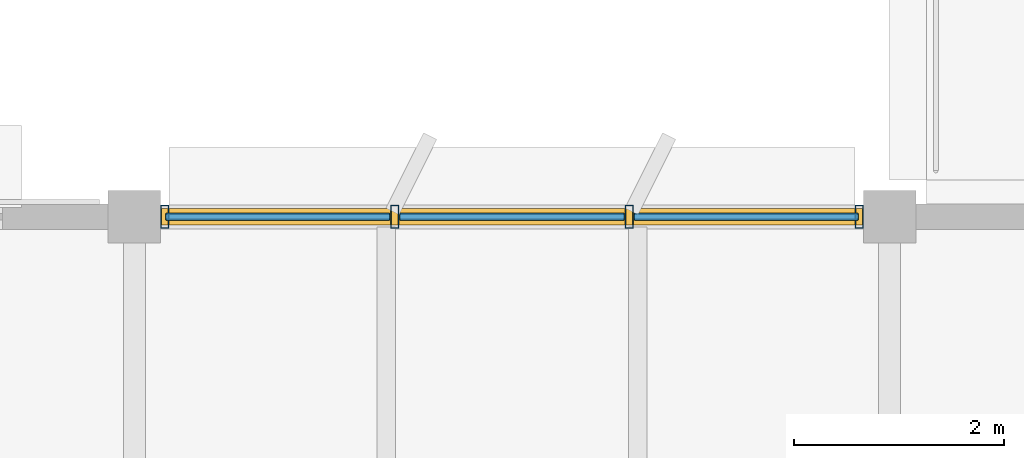
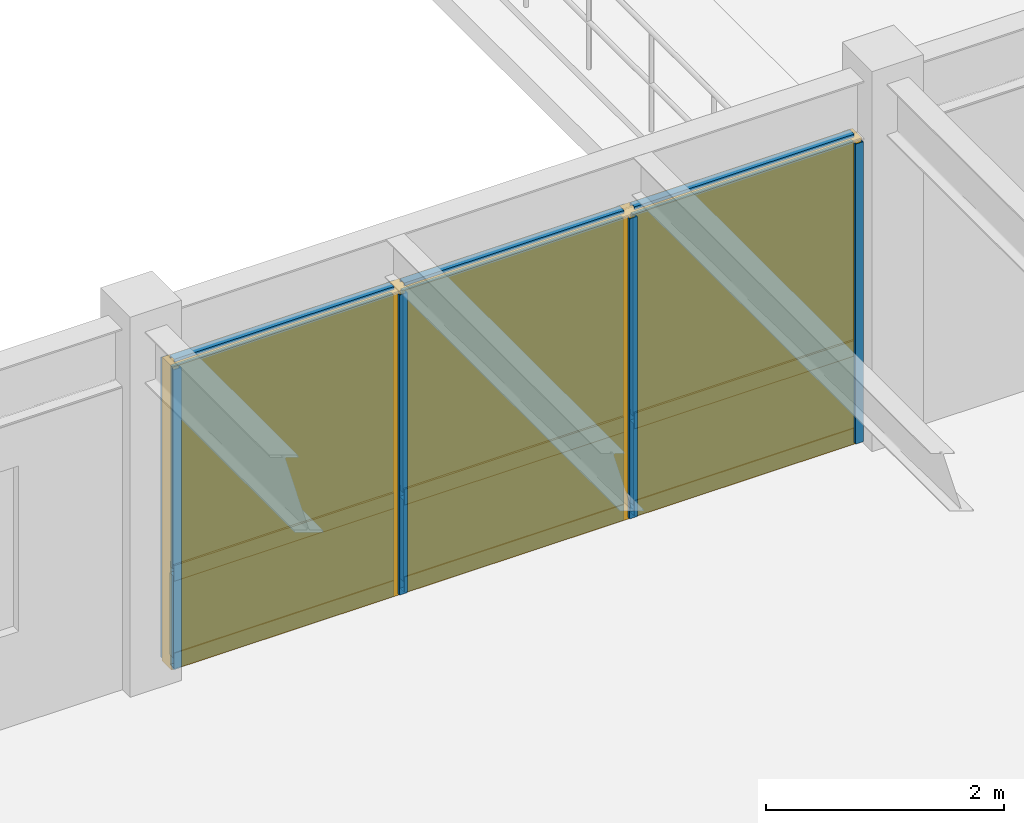
# One storey, part 54 of 82: 13 members, 6 plates, 1 curtain wall.
"""IFC4 building model written with IfcOpenShell, lengths in metres."""

from ifc_helpers import new_model, si_unit, direction, frame, origin, origin_2d, place, context, subcontext, project, spatial, rectangle, hollow_rectangle, extrude, material, layer, layer_set, material_profile, profile_set, type_object, element, aggregate, save


model = new_model("IFC4")

# Units and contexts
model_context = context("Model", 3, precision=1e-05, world=origin(), true_north=direction((0.0, 1.0)))
body_context = subcontext(model_context, "Body", "Model", "MODEL_VIEW")
ifc_project = project(units=[si_unit("LENGTHUNIT", "METRE"), si_unit("AREAUNIT", "SQUARE_METRE"), si_unit("VOLUMEUNIT", "CUBIC_METRE"), si_unit("PLANEANGLEUNIT", "RADIAN"), si_unit("MASSUNIT", "GRAM", prefix="KILO")], contexts=[model_context])

# Member
ifc_material_1 = material(Name="Anodized Aluminium 6063-T6", Category="aluminium")
ifc_material_profile_1 = material_profile(ifc_material_1, hollow_rectangle(XDim=0.074951171875, YDim=0.219970703125, WallThickness=0.0048828125, at=origin_2d()), Name="ALU 75x220x5")
ifc_profile_set_1 = profile_set([ifc_material_profile_1], Name="Anodized Aluminium 6063-T6")
member_type_1 = type_object("IfcMemberType", Name="CWM-75X180", PredefinedType="MULLION", material=ifc_profile_set_1)
site_placement = place(None, origin())
building_placement = place(site_placement, origin())
storey_placement = place(building_placement, frame((0.0, 0.0, 14.10009765625)))
member_1_placement = place(storey_placement, frame((14.68994140625, 79.199951171875, 0.02001953125), z_axis=(0.0, 0.0, 1.0), x_axis=(1.0, 0.0, 0.0)))
member_1 = element("IfcMember", 1, at=member_1_placement, type_object=member_type_1, Name="Curtain wall mullion CW-L04-02-10-N-00", PredefinedType="MULLION", context=body_context, shape_type="SweptSolid", body=[
    extrude(hollow_rectangle(XDim=0.074951171875, YDim=0.219970703125, WallThickness=0.0048828125, at=origin_2d()), origin(), (0.0, 0.0, 1.0), 3.077880859375),
])

member_2_placement = place(storey_placement, frame((16.88330078125, 79.199951171875, 0.02001953125), z_axis=(0.0, 0.0, 1.0), x_axis=(1.0, 0.0, 0.0)))
member_2 = element("IfcMember", 2, at=member_2_placement, type_object=member_type_1, Name="Curtain wall mullion CW-L04-02-10-N-01", PredefinedType="MULLION", context=body_context, shape_type="SweptSolid", body=[
    extrude(hollow_rectangle(XDim=0.074951171875, YDim=0.219970703125, WallThickness=0.0048828125, at=origin_2d()), origin(), (0.0, 0.0, 1.0), 3.077880859375),
])

member_3_placement = place(storey_placement, frame((19.11669921875, 79.199951171875, 0.02001953125), z_axis=(0.0, 0.0, 1.0), x_axis=(1.0, 0.0, 0.0)))
member_3 = element("IfcMember", 3, at=member_3_placement, type_object=member_type_1, Name="Curtain wall mullion CW-L04-02-10-N-02", PredefinedType="MULLION", context=body_context, shape_type="SweptSolid", body=[
    extrude(hollow_rectangle(XDim=0.074951171875, YDim=0.219970703125, WallThickness=0.0048828125, at=origin_2d()), origin(), (0.0, 0.0, 1.0), 3.077880859375),
])

member_4_placement = place(storey_placement, frame((21.31005859375, 79.199951171875, 0.02001953125), z_axis=(0.0, 0.0, 1.0), x_axis=(1.0, 0.0, 0.0)))
member_4 = element("IfcMember", 4, at=member_4_placement, type_object=member_type_1, Name="Curtain wall mullion CW-L04-02-10-N-03", PredefinedType="MULLION", context=body_context, shape_type="SweptSolid", body=[
    extrude(hollow_rectangle(XDim=0.074951171875, YDim=0.219970703125, WallThickness=0.0048828125, at=origin_2d()), origin(), (0.0, 0.0, 1.0), 3.077880859375),
])

ifc_material_profile_2 = material_profile(ifc_material_1, hollow_rectangle(XDim=0.074951171875, YDim=0.159912109375, WallThickness=0.00390625, at=origin_2d()), Name="ALU 75x160x4")
ifc_profile_set_2 = profile_set([ifc_material_profile_2], Name="Anodized Aluminium 6063-T6")
member_type_2 = type_object("IfcMemberType", Name="CWT-75X150", PredefinedType="USERDEFINED", material=ifc_profile_set_2)
member_5_placement = place(storey_placement, frame((14.699951171875, 79.199951171875, 0.0498046875), z_axis=(1.0, 0.0, 0.0), x_axis=(0.0, 1.0, 0.0)))
member_5 = element("IfcMember", 5, at=member_5_placement, type_object=member_type_2, Name="Curtain wall transom CW-L04-02-10-N-1.01", ObjectType="TRANSOM", PredefinedType="USERDEFINED", context=body_context, shape_type="SweptSolid", body=[
    extrude(hollow_rectangle(XDim=0.074951171875, YDim=0.159912109375, WallThickness=0.00390625, at=origin_2d()), origin(), (0.0, 0.0, 1.0), 2.13330078125),
])

member_6_placement = place(storey_placement, frame((16.933349609375, 79.199951171875, 0.0498046875), z_axis=(1.0, 0.0, 0.0), x_axis=(0.0, 1.0, 0.0)))
member_6 = element("IfcMember", 6, at=member_6_placement, type_object=member_type_2, Name="Curtain wall transom CW-L04-02-10-N-1.02", ObjectType="TRANSOM", PredefinedType="USERDEFINED", context=body_context, shape_type="SweptSolid", body=[
    extrude(hollow_rectangle(XDim=0.074951171875, YDim=0.159912109375, WallThickness=0.00390625, at=origin_2d()), origin(), (0.0, 0.0, 1.0), 2.13330078125),
])

member_7_placement = place(storey_placement, frame((19.166748046875, 79.199951171875, 0.0498046875), z_axis=(1.0, 0.0, 0.0), x_axis=(0.0, 1.0, 0.0)))
member_7 = element("IfcMember", 7, at=member_7_placement, type_object=member_type_2, Name="Curtain wall transom CW-L04-02-10-N-1.03", ObjectType="TRANSOM", PredefinedType="USERDEFINED", context=body_context, shape_type="SweptSolid", body=[
    extrude(hollow_rectangle(XDim=0.074951171875, YDim=0.159912109375, WallThickness=0.00390625, at=origin_2d()), origin(), (0.0, 0.0, 1.0), 2.13330078125),
])

member_8_placement = place(storey_placement, frame((14.699951171875, 79.199951171875, 0.949951171875), z_axis=(1.0, 0.0, 0.0), x_axis=(0.0, 1.0, 0.0)))
member_8 = element("IfcMember", 8, at=member_8_placement, type_object=member_type_2, Name="Curtain wall transom CW-L04-02-10-N-2.01", ObjectType="TRANSOM", PredefinedType="USERDEFINED", context=body_context, shape_type="SweptSolid", body=[
    extrude(hollow_rectangle(XDim=0.074951171875, YDim=0.159912109375, WallThickness=0.00390625, at=origin_2d()), origin(), (0.0, 0.0, 1.0), 2.13330078125),
])

member_9_placement = place(storey_placement, frame((16.933349609375, 79.199951171875, 0.949951171875), z_axis=(1.0, 0.0, 0.0), x_axis=(0.0, 1.0, 0.0)))
member_9 = element("IfcMember", 9, at=member_9_placement, type_object=member_type_2, Name="Curtain wall transom CW-L04-02-10-N-2.02", ObjectType="TRANSOM", PredefinedType="USERDEFINED", context=body_context, shape_type="SweptSolid", body=[
    extrude(hollow_rectangle(XDim=0.074951171875, YDim=0.159912109375, WallThickness=0.00390625, at=origin_2d()), origin(), (0.0, 0.0, 1.0), 2.13330078125),
])

member_10_placement = place(storey_placement, frame((19.166748046875, 79.199951171875, 0.949951171875), z_axis=(1.0, 0.0, 0.0), x_axis=(0.0, 1.0, 0.0)))
member_10 = element("IfcMember", 10, at=member_10_placement, type_object=member_type_2, Name="Curtain wall transom CW-L04-02-10-N-2.03", ObjectType="TRANSOM", PredefinedType="USERDEFINED", context=body_context, shape_type="SweptSolid", body=[
    extrude(hollow_rectangle(XDim=0.074951171875, YDim=0.159912109375, WallThickness=0.00390625, at=origin_2d()), origin(), (0.0, 0.0, 1.0), 2.13330078125),
])

member_11_placement = place(storey_placement, frame((14.699951171875, 79.199951171875, 3.06787109375), z_axis=(1.0, 0.0, 0.0), x_axis=(0.0, 1.0, 0.0)))
member_11 = element("IfcMember", 11, at=member_11_placement, type_object=member_type_2, Name="Curtain wall transom CW-L04-02-10-N-3.01", ObjectType="TRANSOM", PredefinedType="USERDEFINED", context=body_context, shape_type="SweptSolid", body=[
    extrude(hollow_rectangle(XDim=0.074951171875, YDim=0.159912109375, WallThickness=0.00390625, at=origin_2d()), origin(), (0.0, 0.0, 1.0), 2.13330078125),
])

member_12_placement = place(storey_placement, frame((16.933349609375, 79.199951171875, 3.06787109375), z_axis=(1.0, 0.0, 0.0), x_axis=(0.0, 1.0, 0.0)))
member_12 = element("IfcMember", 12, at=member_12_placement, type_object=member_type_2, Name="Curtain wall transom CW-L04-02-10-N-3.02", ObjectType="TRANSOM", PredefinedType="USERDEFINED", context=body_context, shape_type="SweptSolid", body=[
    extrude(hollow_rectangle(XDim=0.074951171875, YDim=0.159912109375, WallThickness=0.00390625, at=origin_2d()), origin(), (0.0, 0.0, 1.0), 2.13330078125),
])

member_13_placement = place(storey_placement, frame((19.166748046875, 79.199951171875, 3.06787109375), z_axis=(1.0, 0.0, 0.0), x_axis=(0.0, 1.0, 0.0)))
member_13 = element("IfcMember", 13, at=member_13_placement, type_object=member_type_2, Name="Curtain wall transom CW-L04-02-10-N-3.03", ObjectType="TRANSOM", PredefinedType="USERDEFINED", context=body_context, shape_type="SweptSolid", body=[
    extrude(hollow_rectangle(XDim=0.074951171875, YDim=0.159912109375, WallThickness=0.00390625, at=origin_2d()), origin(), (0.0, 0.0, 1.0), 2.13330078125),
])

# Plate
ifc_material_2 = material(Name="Acoustic Laminated Low-E Glazing", Category="glass")
ifc_layer_1 = layer(ifc_material_2, 0.0439453125)
ifc_layer_set_1 = layer_set([ifc_layer_1], Name="Acoustic Laminated Low-E Glazing")
plate_type_1 = type_object("IfcPlateType", Name="CWP-IGU-44", PredefinedType="CURTAIN_PANEL", material=ifc_layer_set_1)
plate_1_placement = place(storey_placement, frame((15.7666015625, 79.199951171875, 0.98974609375), z_axis=(0.0, 0.0, 1.0), x_axis=(1.0, 0.0, 0.0)))
plate_1 = element("IfcPlate", 14, at=plate_1_placement, type_object=plate_type_1, Name="Curtain wall vision glazing CW-L04-02-10-N-01", PredefinedType="CURTAIN_PANEL", context=body_context, shape_type="SweptSolid", body=[
    extrude(rectangle(XDim=2.143310546875, YDim=0.0400390625, at=origin_2d()), origin(), (0.0, 0.0, 1.0), 2.068115234375),
])

plate_2_placement = place(storey_placement, frame((18.0, 79.199951171875, 0.98974609375), z_axis=(0.0, 0.0, 1.0), x_axis=(1.0, 0.0, 0.0)))
plate_2 = element("IfcPlate", 15, at=plate_2_placement, type_object=plate_type_1, Name="Curtain wall vision glazing CW-L04-02-10-N-02", PredefinedType="CURTAIN_PANEL", context=body_context, shape_type="SweptSolid", body=[
    extrude(rectangle(XDim=2.143310546875, YDim=0.0400390625, at=origin_2d()), origin(), (0.0, 0.0, 1.0), 2.068115234375),
])

plate_3_placement = place(storey_placement, frame((20.2333984375, 79.199951171875, 0.98974609375), z_axis=(0.0, 0.0, 1.0), x_axis=(1.0, 0.0, 0.0)))
plate_3 = element("IfcPlate", 16, at=plate_3_placement, type_object=plate_type_1, Name="Curtain wall vision glazing CW-L04-02-10-N-03", PredefinedType="CURTAIN_PANEL", context=body_context, shape_type="SweptSolid", body=[
    extrude(rectangle(XDim=2.143310546875, YDim=0.0400390625, at=origin_2d()), origin(), (0.0, 0.0, 1.0), 2.068115234375),
])

ifc_material_3 = material(Name="Insulated Stone-Composite Spandrel", Category="masonry")
ifc_layer_2 = layer(ifc_material_3, 0.068115234375)
ifc_layer_set_2 = layer_set([ifc_layer_2], Name="Insulated Stone-Composite Spandrel")
plate_type_2 = type_object("IfcPlateType", Name="CWP-SPN-68", PredefinedType="CURTAIN_PANEL", material=ifc_layer_set_2)
plate_4_placement = place(storey_placement, frame((15.7666015625, 79.199951171875, 0.080078125), z_axis=(0.0, 0.0, 1.0), x_axis=(1.0, 0.0, 0.0)))
plate_4 = element("IfcPlate", 17, at=plate_4_placement, type_object=plate_type_2, Name="Curtain wall spandrel panel CW-L04-02-10-N-01", PredefinedType="CURTAIN_PANEL", context=body_context, shape_type="SweptSolid", body=[
    extrude(rectangle(XDim=2.143310546875, YDim=0.06005859375, at=origin_2d()), origin(), (0.0, 0.0, 1.0), 0.840087890625),
])

plate_5_placement = place(storey_placement, frame((18.0, 79.199951171875, 0.080078125), z_axis=(0.0, 0.0, 1.0), x_axis=(1.0, 0.0, 0.0)))
plate_5 = element("IfcPlate", 18, at=plate_5_placement, type_object=plate_type_2, Name="Curtain wall spandrel panel CW-L04-02-10-N-02", PredefinedType="CURTAIN_PANEL", context=body_context, shape_type="SweptSolid", body=[
    extrude(rectangle(XDim=2.143310546875, YDim=0.06005859375, at=origin_2d()), origin(), (0.0, 0.0, 1.0), 0.840087890625),
])

plate_6_placement = place(storey_placement, frame((20.2333984375, 79.199951171875, 0.080078125), z_axis=(0.0, 0.0, 1.0), x_axis=(1.0, 0.0, 0.0)))
plate_6 = element("IfcPlate", 19, at=plate_6_placement, type_object=plate_type_2, Name="Curtain wall spandrel panel CW-L04-02-10-N-03", PredefinedType="CURTAIN_PANEL", context=body_context, shape_type="SweptSolid", body=[
    extrude(rectangle(XDim=2.143310546875, YDim=0.06005859375, at=origin_2d()), origin(), (0.0, 0.0, 1.0), 0.840087890625),
])

# Site, building, storey
site = spatial("IfcSite", under=ifc_project, at=site_placement, CompositionType="ELEMENT")
building = spatial("IfcBuilding", under=site, at=building_placement, Name="Sillqori Civic Hall", CompositionType="ELEMENT")
storey = spatial("IfcBuildingStorey", under=building, at=storey_placement, Name="L04", CompositionType="ELEMENT", Elevation=14.10009765625)

# Curtain wall
ifc_material_4 = material(Name="Anodized Aluminium Curtain Wall System", Category="aluminium")
curtain_wall_type = type_object("IfcCurtainWallType", Name="CW-AD-370", PredefinedType="NOTDEFINED", material=ifc_material_4)
curtain_wall_placement = place(storey_placement, frame((18.0, 79.199951171875, 0.0), z_axis=(0.0, 0.0, 1.0), x_axis=(1.0, 0.0, 0.0)))
curtain_wall = element("IfcCurtainWall", 20, at=curtain_wall_placement, inside=storey, type_object=curtain_wall_type, Name="L04 unitised curtain wall CW-L04-02-10-N", PredefinedType="NOTDEFINED", context=body_context, shape_type="SweptSolid", body=[
    extrude(rectangle(XDim=6.699951171875, YDim=0.159912109375, at=origin_2d()), origin(), (0.0, 0.0, 1.0), 3.117919921875),
])

aggregate(curtain_wall, [member_1, member_2, member_3, member_4, member_5, member_6, member_7, member_8, member_9, member_10, member_11, member_12, member_13, plate_4, plate_1, plate_5, plate_2, plate_6, plate_3])

save(model, "model.ifc")
